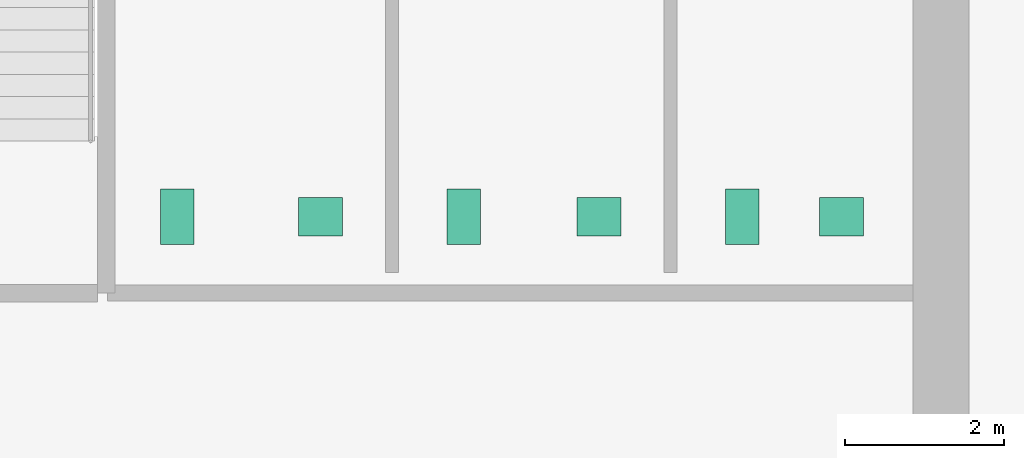
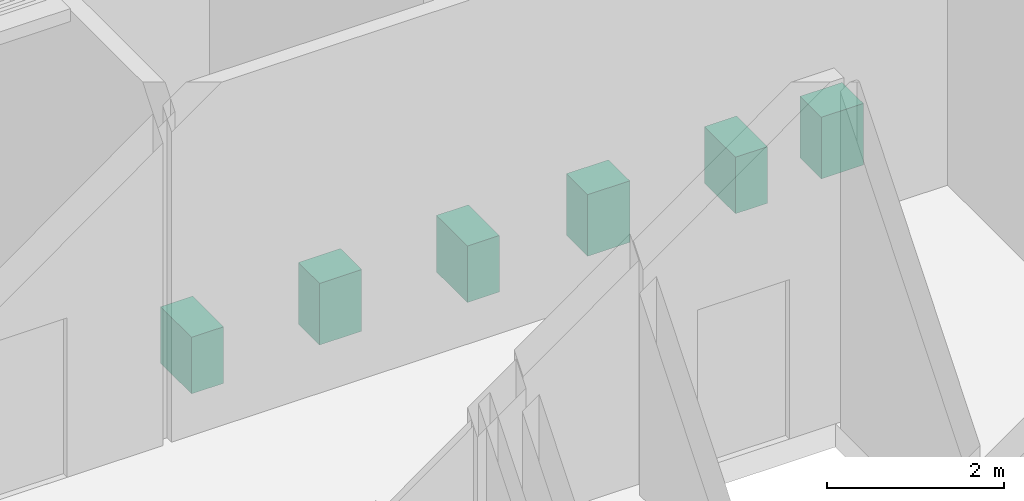
# One storey, part 21 of 21: 6 sanitary terminals.
"""IFC4 building model written with IfcOpenShell, lengths in metres."""

from ifc_helpers import new_model, si_unit, direction, frame, origin, origin_2d, place, context, subcontext, project, spatial, rectangle, extrude, material, type_object, element, save


model = new_model("IFC4")

# Units and contexts
model_context = context("Model", 3, precision=1e-05, world=origin(), true_north=direction((0.0, 1.0)))
body_context = subcontext(model_context, "Body", "Model", "MODEL_VIEW")
ifc_project = project(units=[si_unit("LENGTHUNIT", "METRE"), si_unit("AREAUNIT", "SQUARE_METRE"), si_unit("VOLUMEUNIT", "CUBIC_METRE"), si_unit("PLANEANGLEUNIT", "RADIAN"), si_unit("MASSUNIT", "GRAM", prefix="KILO")], contexts=[model_context])

# Site, building, storey
site_placement = place(None, origin())
site = spatial("IfcSite", under=ifc_project, at=site_placement, CompositionType="ELEMENT")
building_placement = place(site_placement, origin())
building = spatial("IfcBuilding", under=site, at=building_placement, Name="Norrvale University Quadrangle", CompositionType="ELEMENT")
storey_placement = place(building_placement, frame((0.0, 0.0, 194.0)))
storey = spatial("IfcBuildingStorey", under=building, at=storey_placement, Name="L49", CompositionType="ELEMENT", Elevation=194.0)

# Sanitary terminals
ifc_material = material(Name="Vitreous China Sanitaryware")
sanitary_terminal_type_1 = type_object("IfcSanitaryTerminalType", Name="Sanitary Wash Basin", PredefinedType="WASHHANDBASIN", material=ifc_material)
for number, where, z_axis, x_axis, name in (
    (1, (9.0, 41.10009765625, 0.0), (0.0, 0.0, 1.0), (1.0, 0.0, 0.0), "Accessible Countertop Washbasin L49-1"),
    (2, (12.5, 41.10009765625, 0.0), (0.0, 0.0, 1.0), (1.0, 0.0, 0.0), "Accessible Countertop Washbasin L49-2"),
    (3, (15.550048828125, 41.10009765625, 0.0), (0.0, 0.0, 1.0), (1.0, 0.0, 0.0), "Accessible Countertop Washbasin L49-3"),
):
    element("IfcSanitaryTerminal", number, at=place(storey_placement, frame(where, z_axis=z_axis, x_axis=x_axis)), inside=storey, type_object=sanitary_terminal_type_1, Name=name, PredefinedType="WASHHANDBASIN", context=body_context, shape_type="SweptSolid", body=[
        extrude(rectangle(XDim=0.550048828125, YDim=0.47998046875, at=origin_2d()), origin(), (0.0, 0.0, 1.0), 0.85009765625),
    ])
sanitary_terminal_type_2 = type_object("IfcSanitaryTerminalType", Name="Sanitary Water Closet", PredefinedType="TOILETPAN", material=ifc_material)
for number, where, z_axis, x_axis, name in (
    (4, (7.199951171875, 41.10009765625, 0.0), (0.0, 0.0, 1.0), (1.0, 0.0, 0.0), "Wall-Hung Water Closet L49-1"),
    (5, (10.800048828125, 41.10009765625, 0.0), (0.0, 0.0, 1.0), (1.0, 0.0, 0.0), "Wall-Hung Water Closet L49-2"),
    (6, (14.300048828125, 41.10009765625, 0.0), (0.0, 0.0, 1.0), (1.0, 0.0, 0.0), "Wall-Hung Water Closet L49-3"),
):
    element("IfcSanitaryTerminal", number, at=place(storey_placement, frame(where, z_axis=z_axis, x_axis=x_axis)), inside=storey, type_object=sanitary_terminal_type_2, Name=name, PredefinedType="TOILETPAN", context=body_context, shape_type="SweptSolid", body=[
        extrude(rectangle(XDim=0.419921875, YDim=0.699951171875, at=origin_2d()), origin(), (0.0, 0.0, 1.0), 0.780029296875),
    ])

save(model, "model.ifc")
